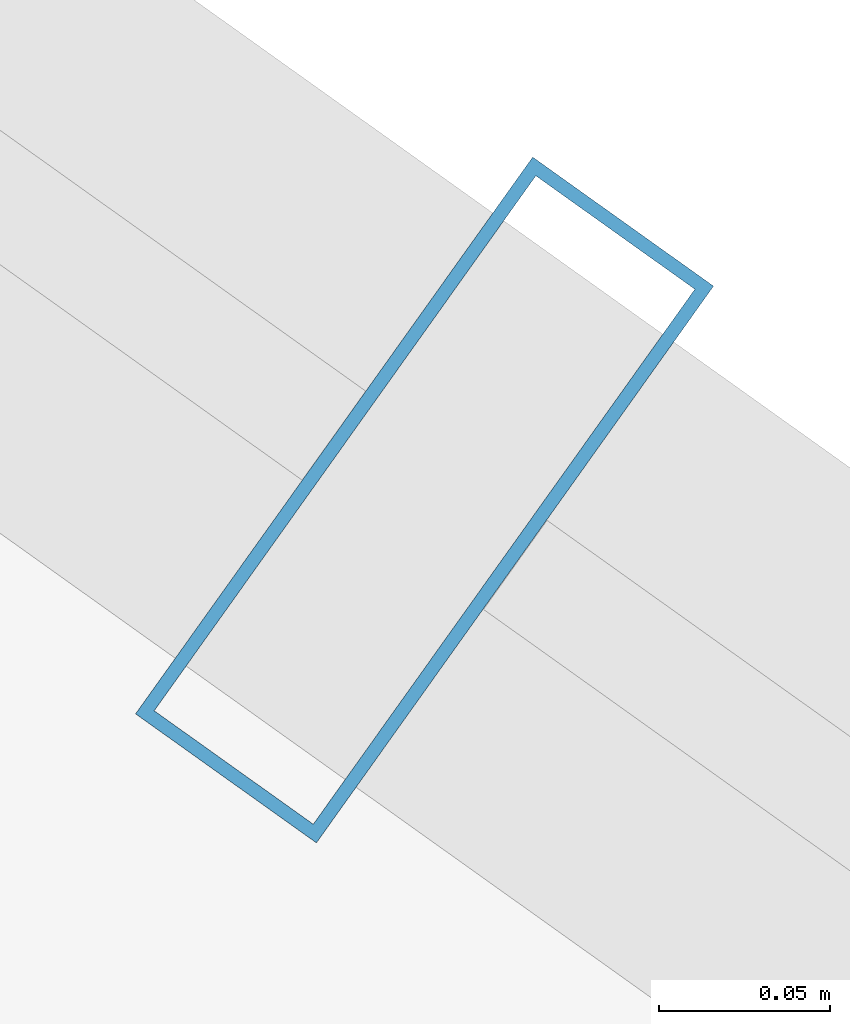
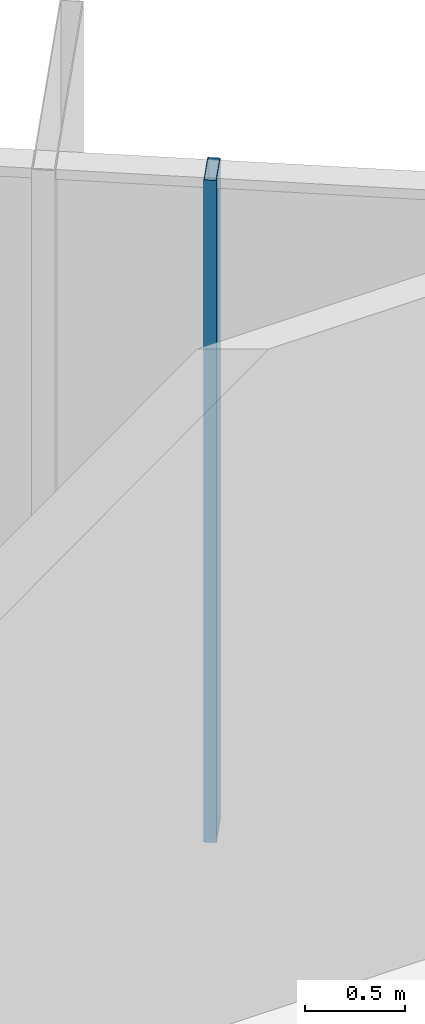
# One storey, part 19 of 25: 1 member, 1 element without a shape of its own.
"""IFC4 building model written with IfcOpenShell, lengths in metres."""

from ifc_helpers import new_model, si_unit, direction, frame, origin, origin_2d, place, context, subcontext, project, spatial, hollow_rectangle, extrude, source, transform, mapped, material, layer, layer_set, material_profile, profile_set, type_object, element, aggregate, save


model = new_model("IFC4")

# Units and contexts
model_context = context("Model", 3, precision=1e-05, world=origin(), true_north=direction((0.0, 1.0)))
body_context = subcontext(model_context, "Body", "Model", "MODEL_VIEW")
ifc_project = project(units=[si_unit("LENGTHUNIT", "METRE"), si_unit("AREAUNIT", "SQUARE_METRE"), si_unit("VOLUMEUNIT", "CUBIC_METRE"), si_unit("PLANEANGLEUNIT", "RADIAN"), si_unit("MASSUNIT", "GRAM", prefix="KILO")], contexts=[model_context])

# Site, building, storey
site_placement = place(None, origin())
site = spatial("IfcSite", under=ifc_project, at=site_placement, CompositionType="ELEMENT")
building_placement = place(site_placement, origin())
building = spatial("IfcBuilding", under=site, at=building_placement, Name="Veraguas Prism Commons", CompositionType="ELEMENT")
storey_placement = place(building_placement, frame((0.0, 0.0, 108.949951171875)))
storey = spatial("IfcBuildingStorey", under=building, at=storey_placement, Name="L30", CompositionType="ELEMENT", Elevation=108.949951171875)

# Curtain wall, member
ifc_material = material(Name="Anodised aluminium EN AW-6063 T6", Category="aluminium")
ifc_layer = layer(ifc_material, 0.199951171875, Name="Sky Lobby and Pool Acoustic Curtain Wall", Category="aluminium")
ifc_layer_set = layer_set([ifc_layer], Name="Anodised aluminium EN AW-6063 T6")
curtain_wall_type = type_object("IfcCurtainWallType", Name="Sky Lobby and Pool Acoustic Curtain Wall", PredefinedType="NOTDEFINED", material=ifc_layer_set)
curtain_wall_placement = place(storey_placement, origin())
curtain_wall = element("IfcCurtainWall", 1, at=curtain_wall_placement, inside=storey, type_object=curtain_wall_type, Name="Tower Facade Curtain Wall L30-F1", PredefinedType="NOTDEFINED")
ifc_material_profile = material_profile(ifc_material, hollow_rectangle(XDim=0.06494140625, YDim=0.199951171875, WallThickness=0.00390625, at=origin_2d()), Name="AL65X200X4")
ifc_profile_set = profile_set([ifc_material_profile], Name="Anodised aluminium EN AW-6063 T6")
member_type = type_object("IfcMemberType", Name="Curtain Wall Mullion Heavy AL 65x200x4", PredefinedType="MULLION", material=ifc_profile_set)
shared_shape = source(origin(), body_context, "Body", "SweptSolid", [
    extrude(hollow_rectangle(XDim=0.06494140625, YDim=0.199951171875, WallThickness=0.00390625, at=origin_2d()), origin(), (0.0, 0.0, 1.0), 4.050048828125),
])
member_placement = place(storey_placement, frame((38.64697265625, 37.11474609375, 0.0), z_axis=(0.0, 0.0, 1.0), x_axis=(-0.814114504837, 0.58070437661, 0.0)))
member = element("IfcMember", 2, at=member_placement, type_object=member_type, Name="CW-SKY Mullion 2", PredefinedType="MULLION", context=body_context, shape_type="MappedRepresentation", body=[
    mapped(shared_shape, transform((0.0, 0.0, 0.0), scale=1.0)),
])
aggregate(curtain_wall, [member])

save(model, "model.ifc")
